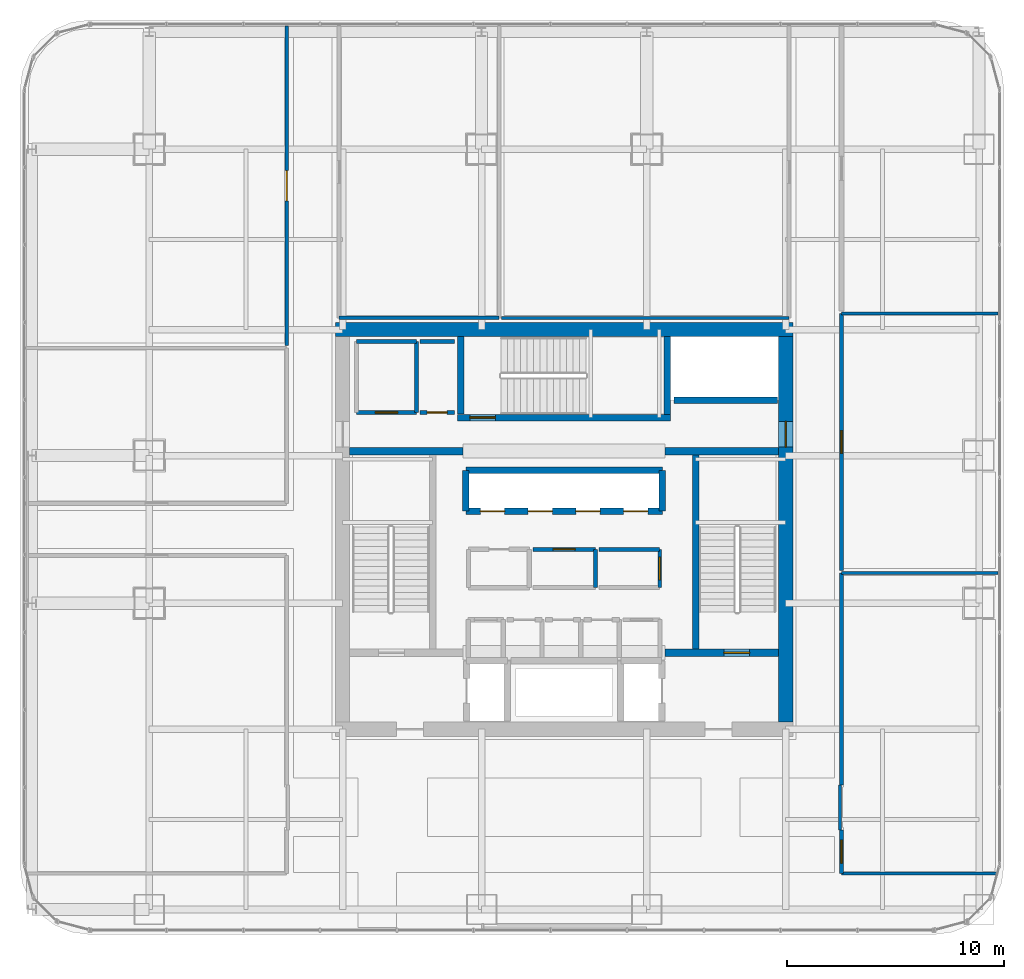
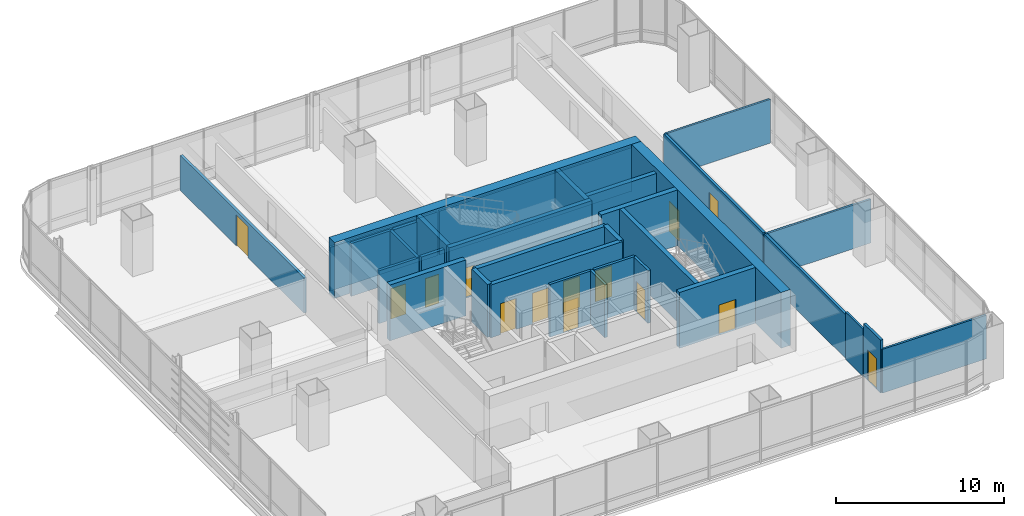
# One storey, part 31 of 38: 33 walls, 14 doors, 14 openings.
"""IFC4 building model written with IfcOpenShell, lengths in metres."""

from ifc_helpers import new_model, si_unit, direction, frame, frame_2d, origin, place, context, subcontext, project, spatial, rectangle, extrude, material, layer, layer_set, type_object, element, fill, save


model = new_model("IFC4")

# Units and contexts
model_context = context("Model", 3, precision=1e-05, world=origin(), true_north=direction((0.0, 1.0)))
body_context = subcontext(model_context, "Body", "Model", "MODEL_VIEW")
ifc_project = project(units=[si_unit("LENGTHUNIT", "METRE"), si_unit("AREAUNIT", "SQUARE_METRE"), si_unit("VOLUMEUNIT", "CUBIC_METRE"), si_unit("PLANEANGLEUNIT", "RADIAN"), si_unit("MASSUNIT", "GRAM", prefix="KILO")], contexts=[model_context])

# Site, building, storey
site_placement = place(None, origin())
site = spatial("IfcSite", under=ifc_project, at=site_placement, CompositionType="ELEMENT")
building_placement = place(site_placement, origin())
building = spatial("IfcBuilding", under=site, at=building_placement, Name="Punatoya Terracotta Tower", CompositionType="ELEMENT")
storey_placement = place(building_placement, frame((0.0, 0.0, 147.89990234375)))
storey = spatial("IfcBuildingStorey", under=building, at=storey_placement, Name="L34", CompositionType="ELEMENT", Elevation=147.89990234375)

# Wall
ifc_material_1 = material(Name="Concrete C60/75", Category="concrete")
ifc_layer_1 = layer(ifc_material_1, 0.64990234375)
ifc_layer_set_1 = layer_set([ifc_layer_1], Name="Concrete C60/75")
wall_type_1 = type_object("IfcWallType", Name="WL-COR-650", PredefinedType="SHEAR", material=ifc_layer_set_1)
wall_1_placement = place(storey_placement, frame((-10.52490234375, 9.199951171875, 0.0), z_axis=(0.0, 0.0, 1.0), x_axis=(1.0, 0.0, 0.0)))
element("IfcWall", 1, at=wall_1_placement, inside=storey, type_object=wall_type_1, Name="L34 Core Shear Wall N", PredefinedType="SHEAR", context=body_context, shape_type="SweptSolid", body=[
    extrude(rectangle(XDim=21.0498046875, YDim=0.64990234375, at=frame_2d((10.52490234375, 0.0))), origin(), (0.0, 0.0, 1.0), 4.050048828125),
])

# Wall, opening, door
wall_2_placement = place(storey_placement, frame((10.199951171875, 8.875, 0.0), z_axis=(0.0, 0.0, 1.0), x_axis=(0.0, -1.0, 0.0)))
wall_2 = element("IfcWall", 2, at=wall_2_placement, inside=storey, type_object=wall_type_1, Name="L34 Core Shear Wall E", PredefinedType="SHEAR", context=body_context, shape_type="SweptSolid", body=[
    extrude(rectangle(XDim=17.75, YDim=0.64990234375, at=frame_2d((8.875, 0.0))), origin(), (0.0, 0.0, 1.0), 4.050048828125),
])
opening_1_placement = place(wall_2_placement, frame((3.905029296875, 0.0, 0.0)))
opening_1 = element("IfcOpeningElement", 3, at=opening_1_placement, cuts=wall_2, Name="Opening SD-01", PredefinedType="OPENING", context=body_context, shape_type="SweptSolid", body=[
    extrude(rectangle(XDim=1.179931640625, YDim=2.199951171875, at=frame_2d((0.58984375, 1.10009765625))), frame((0.0, 0.3349609375, 0.0), z_axis=(0.0, -1.0, 0.0), x_axis=(1.0, 0.0, 0.0)), (0.0, 0.0, 1.0), 0.669921875),
])
ifc_material_2 = material(Name="Galvanised Steel Pressurized Stair Fire Door", Category="steel")
door_type_1 = type_object("IfcDoorType", Name="DR-STR-1180", OperationType="NOTDEFINED", PredefinedType="DOOR", material=ifc_material_2)
door_1_placement = place(opening_1_placement, origin())
door_1 = element("IfcDoor", 4, at=door_1_placement, inside=storey, type_object=door_type_1, Name="L34 Central Lift Lobby East Fire Door", OperationType="SINGLE_SWING_RIGHT", OverallHeight=2.199951171875, OverallWidth=1.179931640625, PredefinedType="DOOR", context=body_context, shape_type="SweptSolid", body=[
    extrude(rectangle(XDim=1.179931640625, YDim=2.199951171875, at=frame_2d((0.58984375, 1.10009765625))), frame((0.0, 0.02490234375, 0.0), z_axis=(0.0, -1.0, 0.0), x_axis=(1.0, 0.0, 0.0)), (0.0, 0.0, 1.0), 0.050048828125),
])
fill(opening_1, door_1)

# Wall
ifc_material_3 = material(Name="Gypsum Fireboard + Steel Stud", Category="steel")
ifc_layer_2 = layer(ifc_material_3, 0.179931640625)
ifc_layer_set_2 = layer_set([ifc_layer_2], Name="Gypsum Fireboard + Steel Stud")
wall_type_2 = type_object("IfcWallType", Name="WL-CORR-180", PredefinedType="PARTITIONING", material=ifc_layer_set_2)
wall_3_placement = place(storey_placement, frame((1.43994140625, -2.679931640625, 0.0), z_axis=(0.0, 0.0, 1.0), x_axis=(0.0, 1.0, 0.0)))
element("IfcWall", 5, at=wall_3_placement, inside=storey, type_object=wall_type_2, Name="L34 Center Core Briefing Pod Partition 16", PredefinedType="PARTITIONING", context=body_context, shape_type="SweptSolid", body=[
    extrude(rectangle(XDim=1.760009765625, YDim=0.179931640625, at=frame_2d((0.8798828125, 0.0))), origin(), (0.0, 0.0, 1.0), 3.830078125),
])

# Wall, opening, door
wall_4_placement = place(storey_placement, frame((1.43994140625, -0.919921875, 0.0), z_axis=(0.0, 0.0, 1.0), x_axis=(-1.0, 0.0, 0.0)))
wall_4 = element("IfcWall", 6, at=wall_4_placement, inside=storey, type_object=wall_type_2, Name="L34 Center Core Briefing Pod Partition 17", PredefinedType="PARTITIONING", context=body_context, shape_type="SweptSolid", body=[
    extrude(rectangle(XDim=2.8798828125, YDim=0.179931640625, at=frame_2d((1.43994140625, 0.0))), origin(), (0.0, 0.0, 1.0), 3.830078125),
])
opening_2_placement = place(wall_4_placement, frame((0.929931640625, 0.0, 0.0)))
opening_2 = element("IfcOpeningElement", 7, at=opening_2_placement, cuts=wall_4, Name="Opening MD-01", PredefinedType="OPENING", context=body_context, shape_type="SweptSolid", body=[
    extrude(rectangle(XDim=1.02001953125, YDim=2.199951171875, at=frame_2d((0.510009765625, 1.10009765625))), frame((0.0, 0.099853515625, 0.0), z_axis=(0.0, -1.0, 0.0), x_axis=(1.0, 0.0, 0.0)), (0.0, 0.0, 1.0), 0.199951171875),
])
ifc_material_4 = material(Name="Aluminium + Acoustic Glass Leaf", Category="aluminium")
door_type_2 = type_object("IfcDoorType", Name="DR-MTG-1020", OperationType="NOTDEFINED", PredefinedType="DOOR", material=ifc_material_4)
door_2_placement = place(opening_2_placement, origin())
door_2 = element("IfcDoor", 8, at=door_2_placement, inside=storey, type_object=door_type_2, Name="L34 Center Briefing Pod Door", OperationType="SINGLE_SWING_LEFT", OverallHeight=2.199951171875, OverallWidth=1.02001953125, PredefinedType="DOOR", context=body_context, shape_type="SweptSolid", body=[
    extrude(rectangle(XDim=1.02001953125, YDim=2.199951171875, at=frame_2d((0.510009765625, 1.10009765625))), frame((0.0, 0.02490234375, 0.0), z_axis=(0.0, -1.0, 0.0), x_axis=(1.0, 0.0, 0.0)), (0.0, 0.0, 1.0), 0.050048828125),
])
fill(opening_2, door_2)

wall_5_placement = place(storey_placement, frame((4.39990234375, -2.679931640625, 0.0), z_axis=(0.0, 0.0, 1.0), x_axis=(0.0, 1.0, 0.0)))
wall_5 = element("IfcWall", 9, at=wall_5_placement, inside=storey, type_object=wall_type_2, Name="L34 Right Core Copy Room Partition 19", PredefinedType="PARTITIONING", context=body_context, shape_type="SweptSolid", body=[
    extrude(rectangle(XDim=1.760009765625, YDim=0.179931640625, at=frame_2d((0.8798828125, 0.0))), origin(), (0.0, 0.0, 1.0), 3.830078125),
])
opening_3_placement = place(wall_5_placement, frame((0.35498046875, 0.0, 0.0)))
opening_3 = element("IfcOpeningElement", 10, at=opening_3_placement, cuts=wall_5, Name="Opening OD-01", PredefinedType="OPENING", context=body_context, shape_type="SweptSolid", body=[
    extrude(rectangle(XDim=1.050048828125, YDim=2.199951171875, at=frame_2d((0.52490234375, 1.10009765625))), frame((0.0, 0.099853515625, 0.0), z_axis=(0.0, -1.0, 0.0), x_axis=(1.0, 0.0, 0.0)), (0.0, 0.0, 1.0), 0.199951171875),
])
ifc_material_5 = material(Name="Bengal Teak Solid-Core Leaf")
door_type_3 = type_object("IfcDoorType", Name="DR-OFF-1050", OperationType="NOTDEFINED", PredefinedType="DOOR", material=ifc_material_5)
door_3_placement = place(opening_3_placement, origin())
door_3 = element("IfcDoor", 11, at=door_3_placement, inside=storey, type_object=door_type_3, Name="L34 Right Copy Room Door", OperationType="SINGLE_SWING_RIGHT", OverallHeight=2.199951171875, OverallWidth=1.050048828125, PredefinedType="DOOR", context=body_context, shape_type="SweptSolid", body=[
    extrude(rectangle(XDim=1.050048828125, YDim=2.199951171875, at=frame_2d((0.52490234375, 1.10009765625))), frame((0.0, 0.02490234375, 0.0), z_axis=(0.0, -1.0, 0.0), x_axis=(1.0, 0.0, 0.0)), (0.0, 0.0, 1.0), 0.050048828125),
])
fill(opening_3, door_3)

# Walls
wall_6_placement = place(storey_placement, frame((4.39990234375, -0.919921875, 0.0), z_axis=(0.0, 0.0, 1.0), x_axis=(-1.0, 0.0, 0.0)))
element("IfcWall", 12, at=wall_6_placement, inside=storey, type_object=wall_type_2, Name="L34 Right Core Copy Room Partition 20", PredefinedType="PARTITIONING", context=body_context, shape_type="SweptSolid", body=[
    extrude(rectangle(XDim=2.7998046875, YDim=0.179931640625, at=frame_2d((1.39990234375, 0.0))), origin(), (0.0, 0.0, 1.0), 3.830078125),
])
wall_7_placement = place(storey_placement, frame((-6.800048828125, 5.3798828125, 0.0), z_axis=(0.0, 0.0, 1.0), x_axis=(0.0, 1.0, 0.0)))
element("IfcWall", 13, at=wall_7_placement, inside=storey, type_object=wall_type_2, Name="L34 West Core Briefing Pod Partition 22", PredefinedType="PARTITIONING", context=body_context, shape_type="SweptSolid", body=[
    extrude(rectangle(XDim=3.27001953125, YDim=0.179931640625, at=frame_2d((1.635009765625, 0.0))), origin(), (0.0, 0.0, 1.0), 3.830078125),
])
wall_8_placement = place(storey_placement, frame((-6.800048828125, 8.64990234375, 0.0), z_axis=(0.0, 0.0, 1.0), x_axis=(-1.0, 0.0, 0.0)))
element("IfcWall", 14, at=wall_8_placement, inside=storey, type_object=wall_type_2, Name="L34 West Core Briefing Pod Partition 23", PredefinedType="PARTITIONING", context=body_context, shape_type="SweptSolid", body=[
    extrude(rectangle(XDim=2.75, YDim=0.179931640625, at=frame_2d((1.375, 0.0))), origin(), (0.0, 0.0, 1.0), 3.830078125),
])

# Wall, opening, door
wall_9_placement = place(storey_placement, frame((-9.550048828125, 5.3798828125, 0.0), z_axis=(0.0, 0.0, 1.0), x_axis=(1.0, 0.0, 0.0)))
wall_9 = element("IfcWall", 15, at=wall_9_placement, inside=storey, type_object=wall_type_2, Name="L34 West Core Briefing Pod Partition 25", PredefinedType="PARTITIONING", context=body_context, shape_type="SweptSolid", body=[
    extrude(rectangle(XDim=2.75, YDim=0.179931640625, at=frame_2d((1.375, 0.0))), origin(), (0.0, 0.0, 1.0), 3.830078125),
])
opening_4_placement = place(wall_9_placement, frame((0.864990234375, 0.0, 0.0)))
opening_4 = element("IfcOpeningElement", 16, at=opening_4_placement, cuts=wall_9, Name="Opening MD-01", PredefinedType="OPENING", context=body_context, shape_type="SweptSolid", body=[
    extrude(rectangle(XDim=1.02001953125, YDim=2.199951171875, at=frame_2d((0.510009765625, 1.10009765625))), frame((0.0, 0.099853515625, 0.0), z_axis=(0.0, -1.0, 0.0), x_axis=(1.0, 0.0, 0.0)), (0.0, 0.0, 1.0), 0.199951171875),
])
door_4_placement = place(opening_4_placement, origin())
door_4 = element("IfcDoor", 17, at=door_4_placement, inside=storey, type_object=door_type_2, Name="L34 West Briefing Pod Door", OperationType="SINGLE_SWING_LEFT", OverallHeight=2.199951171875, OverallWidth=1.02001953125, PredefinedType="DOOR", context=body_context, shape_type="SweptSolid", body=[
    extrude(rectangle(XDim=1.02001953125, YDim=2.199951171875, at=frame_2d((0.510009765625, 1.10009765625))), frame((0.0, 0.02490234375, 0.0), z_axis=(0.0, -1.0, 0.0), x_axis=(1.0, 0.0, 0.0)), (0.0, 0.0, 1.0), 0.050048828125),
])
fill(opening_4, door_4)

wall_10_placement = place(storey_placement, frame((12.77001953125, -15.840087890625, 0.0), z_axis=(0.0, 0.0, 1.0), x_axis=(0.0, 1.0, 0.0)))
wall_10 = element("IfcWall", 18, at=wall_10_placement, inside=storey, type_object=wall_type_2, Name="L34 Open-Plan Computational Simulation Laboratory Partition 29", PredefinedType="PARTITIONING", context=body_context, shape_type="SweptSolid", body=[
    extrude(rectangle(XDim=2.010009765625, YDim=0.179931640625, at=frame_2d((1.0048828125, 0.0))), origin(), (0.0, 0.0, 1.0), 3.830078125),
])
opening_5_placement = place(wall_10_placement, frame((0.47998046875, 0.0, 0.0)))
opening_5 = element("IfcOpeningElement", 19, at=opening_5_placement, cuts=wall_10, Name="Opening OD-01", PredefinedType="OPENING", context=body_context, shape_type="SweptSolid", body=[
    extrude(rectangle(XDim=1.050048828125, YDim=2.199951171875, at=frame_2d((0.52490234375, 1.10009765625))), frame((0.0, 0.099853515625, 0.0), z_axis=(0.0, -1.0, 0.0), x_axis=(1.0, 0.0, 0.0)), (0.0, 0.0, 1.0), 0.199951171875),
])
door_5_placement = place(opening_5_placement, origin())
door_5 = element("IfcDoor", 20, at=door_5_placement, inside=storey, type_object=door_type_3, Name="L34 Open-Plan Computational Simulation Laboratory Door", OperationType="SINGLE_SWING_LEFT", OverallHeight=2.199951171875, OverallWidth=1.050048828125, PredefinedType="DOOR", context=body_context, shape_type="SweptSolid", body=[
    extrude(rectangle(XDim=1.050048828125, YDim=2.199951171875, at=frame_2d((0.52490234375, 1.10009765625))), frame((0.0, 0.02490234375, 0.0), z_axis=(0.0, -1.0, 0.0), x_axis=(1.0, 0.0, 0.0)), (0.0, 0.0, 1.0), 0.050048828125),
])
fill(opening_5, door_5)

# Wall
wall_11_placement = place(storey_placement, frame((12.77001953125, -11.77001953125, 0.0), z_axis=(0.0, 0.0, 1.0), x_axis=(0.0, 1.0, 0.0)))
element("IfcWall", 21, at=wall_11_placement, inside=storey, type_object=wall_type_2, Name="L34 Open-Plan Computational Simulation Laboratory Partition 31", PredefinedType="PARTITIONING", context=body_context, shape_type="SweptSolid", body=[
    extrude(rectangle(XDim=9.757080078125, YDim=0.179931640625, at=frame_2d((4.87841796875, 0.0))), origin(), (0.0, 0.0, 1.0), 3.174072265625),
])

# Wall, opening, door
wall_12_placement = place(storey_placement, frame((12.77001953125, -1.89306640625, 0.0), z_axis=(0.0, 0.0, 1.0), x_axis=(0.0, 1.0, 0.0)))
wall_12 = element("IfcWall", 22, at=wall_12_placement, inside=storey, type_object=wall_type_2, Name="L34 Open-Plan Materials Testing Laboratory Partition 38", PredefinedType="PARTITIONING", context=body_context, shape_type="SweptSolid", body=[
    extrude(rectangle(XDim=11.8349609375, YDim=0.179931640625, at=frame_2d((5.91748046875, 0.0))), origin(), (0.0, 0.0, 1.0), 3.174072265625),
])
opening_6_placement = place(wall_12_placement, frame((5.392578125, 0.0, 0.0)))
opening_6 = element("IfcOpeningElement", 23, at=opening_6_placement, cuts=wall_12, Name="Opening OD-01", PredefinedType="OPENING", context=body_context, shape_type="SweptSolid", body=[
    extrude(rectangle(XDim=1.050048828125, YDim=2.199951171875, at=frame_2d((0.52490234375, 1.10009765625))), frame((0.0, 0.099853515625, 0.0), z_axis=(0.0, -1.0, 0.0), x_axis=(1.0, 0.0, 0.0)), (0.0, 0.0, 1.0), 0.199951171875),
])
door_6_placement = place(opening_6_placement, origin())
door_6 = element("IfcDoor", 24, at=door_6_placement, inside=storey, type_object=door_type_3, Name="L34 Open-Plan Materials Testing Laboratory Door", OperationType="SINGLE_SWING_LEFT", OverallHeight=2.199951171875, OverallWidth=1.050048828125, PredefinedType="DOOR", context=body_context, shape_type="SweptSolid", body=[
    extrude(rectangle(XDim=1.050048828125, YDim=2.199951171875, at=frame_2d((0.52490234375, 1.10009765625))), frame((0.0, 0.02490234375, 0.0), z_axis=(0.0, -1.0, 0.0), x_axis=(1.0, 0.0, 0.0)), (0.0, 0.0, 1.0), 0.050048828125),
])
fill(opening_6, door_6)

wall_13_placement = place(storey_placement, frame((-12.77001953125, 23.169921875, 0.0), z_axis=(0.0, 0.0, 1.0), x_axis=(0.0, -1.0, 0.0)))
wall_13 = element("IfcWall", 25, at=wall_13_placement, inside=storey, type_object=wall_type_2, Name="L34 Technical Seminar Room Partition 43", PredefinedType="PARTITIONING", context=body_context, shape_type="SweptSolid", body=[
    extrude(rectangle(XDim=14.700927734375, YDim=0.179931640625, at=frame_2d((7.3505859375, 0.0))), origin(), (0.0, 0.0, 1.0), 2.544189453125),
])
opening_7_placement = place(wall_13_placement, frame((6.650390625, 0.0, 0.0)))
opening_7 = element("IfcOpeningElement", 26, at=opening_7_placement, cuts=wall_13, Name="Opening BD-01", PredefinedType="OPENING", context=body_context, shape_type="SweptSolid", body=[
    extrude(rectangle(XDim=1.39990234375, YDim=2.25, at=frame_2d((0.699951171875, 1.125))), frame((0.0, 0.099853515625, 0.0), z_axis=(0.0, -1.0, 0.0), x_axis=(1.0, 0.0, 0.0)), (0.0, 0.0, 1.0), 0.199951171875),
])
ifc_material_6 = material(Name="Bengal Teak Acoustic Leaf")
door_type_4 = type_object("IfcDoorType", Name="DR-BRD-1400", OperationType="NOTDEFINED", PredefinedType="DOOR", material=ifc_material_6)
door_7_placement = place(opening_7_placement, origin())
door_7 = element("IfcDoor", 27, at=door_7_placement, inside=storey, type_object=door_type_4, Name="L34 Technical Seminar Room Door", OperationType="SINGLE_SWING_LEFT", OverallHeight=2.25, OverallWidth=1.39990234375, PredefinedType="DOOR", context=body_context, shape_type="SweptSolid", body=[
    extrude(rectangle(XDim=1.39990234375, YDim=2.25, at=frame_2d((0.699951171875, 1.125))), frame((0.0, 0.02490234375, 0.0), z_axis=(0.0, -1.0, 0.0), x_axis=(1.0, 0.0, 0.0)), (0.0, 0.0, 1.0), 0.050048828125),
])
fill(opening_7, door_7)

# Wall
ifc_material_7 = material(Name="Concrete C40/50", Category="concrete")
ifc_layer_3 = layer(ifc_material_7, 0.199951171875)
ifc_layer_set_3 = layer_set([ifc_layer_3], Name="Concrete C40/50")
wall_type_3 = type_object("IfcWallType", Name="WL-INT-200", PredefinedType="SOLIDWALL", material=ifc_layer_set_3)
wall_14_placement = place(storey_placement, frame((-5.050048828125, 8.64990234375, 0.0), z_axis=(0.0, 0.0, 1.0), x_axis=(-1.0, 0.0, 0.0)))
element("IfcWall", 28, at=wall_14_placement, inside=storey, type_object=wall_type_3, Name="L34 West Core Supply Store Partition 26", PredefinedType="SOLIDWALL", context=body_context, shape_type="SweptSolid", body=[
    extrude(rectangle(XDim=1.58984375, YDim=0.199951171875, at=frame_2d((0.794921875, 0.0))), origin(), (0.0, 0.0, 1.0), 3.830078125),
])

# Wall, opening, door
wall_15_placement = place(storey_placement, frame((-6.639892578125, 5.3798828125, 0.0), z_axis=(0.0, 0.0, 1.0), x_axis=(1.0, 0.0, 0.0)))
wall_15 = element("IfcWall", 29, at=wall_15_placement, inside=storey, type_object=wall_type_3, Name="L34 West Core Supply Store Partition 27", PredefinedType="SOLIDWALL", context=body_context, shape_type="SweptSolid", body=[
    extrude(rectangle(XDim=1.58984375, YDim=0.199951171875, at=frame_2d((0.794921875, 0.0))), origin(), (0.0, 0.0, 1.0), 3.830078125),
])
opening_8_placement = place(wall_15_placement, frame((0.3349609375, 0.0, 0.0)))
opening_8 = element("IfcOpeningElement", 30, at=opening_8_placement, cuts=wall_15, Name="Opening FD-R1", PredefinedType="OPENING", context=body_context, shape_type="SweptSolid", body=[
    extrude(rectangle(XDim=0.919921875, YDim=2.10009765625, at=frame_2d((0.4599609375, 1.050048828125))), frame((0.0, 0.10986328125, 0.0), z_axis=(0.0, -1.0, 0.0), x_axis=(1.0, 0.0, 0.0)), (0.0, 0.0, 1.0), 0.219970703125),
])
ifc_material_8 = material(Name="Galvanised Steel Riser Fire Access Door", Category="steel")
door_type_5 = type_object("IfcDoorType", Name="DR-RSR-920", OperationType="NOTDEFINED", PredefinedType="DOOR", material=ifc_material_8)
door_8_placement = place(opening_8_placement, origin())
door_8 = element("IfcDoor", 31, at=door_8_placement, inside=storey, type_object=door_type_5, Name="L34 West Core Supply Store Fire Door", OperationType="SINGLE_SWING_RIGHT", OverallHeight=2.10009765625, OverallWidth=0.919921875, PredefinedType="DOOR", context=body_context, shape_type="SweptSolid", body=[
    extrude(rectangle(XDim=0.919921875, YDim=2.10009765625, at=frame_2d((0.4599609375, 1.050048828125))), frame((0.0, 0.02490234375, 0.0), z_axis=(0.0, -1.0, 0.0), x_axis=(1.0, 0.0, 0.0)), (0.0, 0.0, 1.0), 0.050048828125),
])
fill(opening_8, door_8)

# Walls
ifc_material_9 = material(Name="Acoustic Gypsum + Steel Stud", Category="steel")
ifc_layer_4 = layer(ifc_material_9, 0.139892578125)
ifc_layer_set_4 = layer_set([ifc_layer_4], Name="Acoustic Gypsum + Steel Stud")
wall_type_4 = type_object("IfcWallType", Name="WL-OFF-140", PredefinedType="PARTITIONING", material=ifc_layer_set_4)
wall_16_placement = place(storey_placement, frame((19.916259765625, -15.840087890625, 0.0), z_axis=(0.0, 0.0, 1.0), x_axis=(-1.0, 0.0, 0.0)))
element("IfcWall", 32, at=wall_16_placement, inside=storey, type_object=wall_type_4, Name="L34 Open-Plan Computational Simulation Laboratory Partition 28", PredefinedType="PARTITIONING", context=body_context, shape_type="SweptSolid", body=[
    extrude(rectangle(XDim=7.146240234375, YDim=0.139892578125, at=frame_2d((3.5732421875, 0.0))), origin(), (0.0, 0.0, 1.0), 3.174072265625),
])
wall_17_placement = place(storey_placement, frame((12.7099609375, -13.830078125, 0.0), z_axis=(0.0, 0.0, 1.0), x_axis=(0.0, 1.0, 0.0)))
element("IfcWall", 33, at=wall_17_placement, inside=storey, type_object=wall_type_4, Name="L34 Open-Plan Computational Simulation Laboratory Partition 30", PredefinedType="PARTITIONING", context=body_context, shape_type="SweptSolid", body=[
    extrude(rectangle(XDim=2.06005859375, YDim=0.139892578125, at=frame_2d((1.030029296875, 0.0))), origin(), (0.0, 0.0, 1.0), 3.424072265625),
])
for number, where, z_axis, x_axis, name in (
    (34, (12.77001953125, -2.012939453125, 0.0), (0.0, 0.0, 1.0), (1.0, 0.0, 0.0), "L34 Open-Plan Computational Simulation Laboratory Partition 32"),
    (35, (12.77001953125, 9.94189453125, 0.0), (0.0, 0.0, 1.0), (1.0, 0.0, 0.0), "L34 Open-Plan Materials Testing Laboratory Partition 39"),
):
    element("IfcWall", number, at=place(storey_placement, frame(where, z_axis=z_axis, x_axis=x_axis)), inside=storey, type_object=wall_type_4, Name=name, PredefinedType="PARTITIONING", context=body_context, shape_type="SweptSolid", body=[
        extrude(rectangle(XDim=7.199951171875, YDim=0.139892578125, at=frame_2d((3.60009765625, 0.0))), origin(), (0.0, 0.0, 1.0), 3.174072265625),
    ])
wall_18_placement = place(storey_placement, frame((10.360107421875, 9.739990234375, 0.0), z_axis=(0.0, 0.0, 1.0), x_axis=(-1.0, 0.0, 0.0)))
element("IfcWall", 36, at=wall_18_placement, inside=storey, type_object=wall_type_4, Name="L34 Wellness Rest Room Partition 47", PredefinedType="PARTITIONING", context=body_context, shape_type="SweptSolid", body=[
    extrude(rectangle(XDim=13.234130859375, YDim=0.139892578125, at=frame_2d((6.6171875, 0.0))), origin(), (0.0, 0.0, 1.0), 3.174072265625),
])
ifc_layer_5 = layer(ifc_material_7, 0.300048828125)
ifc_layer_set_5 = layer_set([ifc_layer_5], Name="Concrete C40/50")
wall_type_5 = type_object("IfcWallType", Name="WL-SHF-300", PredefinedType="SOLIDWALL", material=ifc_layer_set_5)
wall_19_placement = place(storey_placement, frame((6.050048828125, 3.449951171875, 0.0), z_axis=(0.0, 0.0, 1.0), x_axis=(0.0, -1.0, 0.0)))
element("IfcWall", 37, at=wall_19_placement, inside=storey, type_object=wall_type_5, Name="L34 Structural Stair Shaft Wall SW-ST2-W", PredefinedType="SOLIDWALL", context=body_context, shape_type="SweptSolid", body=[
    extrude(rectangle(XDim=8.949951171875, YDim=0.300048828125, at=frame_2d((4.47509765625, 0.0))), origin(), (0.0, 0.0, 1.0), 4.050048828125),
])
for number, where, z_axis, x_axis, name in (
    (38, (-4.75, 5.300048828125, 0.0), (0.0, 0.0, 1.0), (0.0, 1.0, 0.0), "L34 Structural Stair Shaft Wall SW-ST3-W"),
    (39, (4.75, 8.875, 0.0), (0.0, 0.0, 1.0), (0.0, -1.0, 0.0), "L34 Structural Stair Shaft Wall SW-ST3-E"),
):
    element("IfcWall", number, at=place(storey_placement, frame(where, z_axis=z_axis, x_axis=x_axis)), inside=storey, type_object=wall_type_5, Name=name, PredefinedType="SOLIDWALL", context=body_context, shape_type="SweptSolid", body=[
        extrude(rectangle(XDim=3.574951171875, YDim=0.300048828125, at=frame_2d((1.78759765625, 0.0))), origin(), (0.0, 0.0, 1.0), 4.050048828125),
    ])

# Wall, opening, door
wall_20_placement = place(storey_placement, frame((-4.89990234375, 5.14990234375, 0.0), z_axis=(0.0, 0.0, 1.0), x_axis=(1.0, 0.0, 0.0)))
wall_20 = element("IfcWall", 40, at=wall_20_placement, inside=storey, type_object=wall_type_5, Name="L34 Structural Stair Shaft Wall SW-ST3-S", PredefinedType="SOLIDWALL", context=body_context, shape_type="SweptSolid", body=[
    extrude(rectangle(XDim=9.7998046875, YDim=0.300048828125, at=frame_2d((4.89990234375, 0.0))), origin(), (0.0, 0.0, 1.0), 4.050048828125),
])
opening_9_placement = place(wall_20_placement, frame((0.56005859375, 0.0, 0.0)))
opening_9 = element("IfcOpeningElement", 41, at=opening_9_placement, cuts=wall_20, Name="Opening SD-01", PredefinedType="OPENING", context=body_context, shape_type="SweptSolid", body=[
    extrude(rectangle(XDim=1.179931640625, YDim=2.199951171875, at=frame_2d((0.58984375, 1.10009765625))), frame((0.0, 0.159912109375, 0.0), z_axis=(0.0, -1.0, 0.0), x_axis=(1.0, 0.0, 0.0)), (0.0, 0.0, 1.0), 0.320068359375),
])
door_9_placement = place(opening_9_placement, origin())
door_9 = element("IfcDoor", 42, at=door_9_placement, inside=storey, type_object=door_type_1, Name="L34 Stair ST-3 Core Lobby Fire Door", OperationType="SINGLE_SWING_LEFT", OverallHeight=2.199951171875, OverallWidth=1.179931640625, PredefinedType="DOOR", context=body_context, shape_type="SweptSolid", body=[
    extrude(rectangle(XDim=1.179931640625, YDim=2.199951171875, at=frame_2d((0.58984375, 1.10009765625))), frame((0.0, 0.02490234375, 0.0), z_axis=(0.0, -1.0, 0.0), x_axis=(1.0, 0.0, 0.0)), (0.0, 0.0, 1.0), 0.050048828125),
])
fill(opening_9, door_9)

# Wall, openings, doors
wall_21_placement = place(storey_placement, frame((-4.52001953125, 0.840087890625, 0.0), z_axis=(0.0, 0.0, 1.0), x_axis=(1.0, 0.0, 0.0)))
wall_21 = element("IfcWall", 43, at=wall_21_placement, inside=storey, type_object=wall_type_5, Name="L34 North Lift Bank Front Shaft Wall", PredefinedType="SOLIDWALL", context=body_context, shape_type="SweptSolid", body=[
    extrude(rectangle(XDim=9.0400390625, YDim=0.300048828125, at=frame_2d((4.52001953125, 0.0))), origin(), (0.0, 0.0, 1.0), 3.830078125),
])
opening_10_placement = place(wall_21_placement, frame((0.659912109375, 0.0, 0.0)))
opening_10 = element("IfcOpeningElement", 44, at=opening_10_placement, cuts=wall_21, Name="Opening LD-02", PredefinedType="OPENING", context=body_context, shape_type="SweptSolid", body=[
    extrude(rectangle(XDim=1.1201171875, YDim=2.25, at=frame_2d((0.56005859375, 1.125))), frame((0.0, 0.159912109375, 0.0), z_axis=(0.0, -1.0, 0.0), x_axis=(1.0, 0.0, 0.0)), (0.0, 0.0, 1.0), 0.320068359375),
])
opening_11_placement = place(wall_21_placement, frame((2.860107421875, 0.0, 0.0)))
opening_11 = element("IfcOpeningElement", 45, at=opening_11_placement, cuts=wall_21, Name="Opening LD-02", PredefinedType="OPENING", context=body_context, shape_type="SweptSolid", body=[
    extrude(rectangle(XDim=1.1201171875, YDim=2.25, at=frame_2d((0.56005859375, 1.125))), frame((0.0, 0.159912109375, 0.0), z_axis=(0.0, -1.0, 0.0), x_axis=(1.0, 0.0, 0.0)), (0.0, 0.0, 1.0), 0.320068359375),
])
opening_12_placement = place(wall_21_placement, frame((5.06005859375, 0.0, 0.0)))
opening_12 = element("IfcOpeningElement", 46, at=opening_12_placement, cuts=wall_21, Name="Opening LD-02", PredefinedType="OPENING", context=body_context, shape_type="SweptSolid", body=[
    extrude(rectangle(XDim=1.1201171875, YDim=2.25, at=frame_2d((0.56005859375, 1.125))), frame((0.0, 0.159912109375, 0.0), z_axis=(0.0, -1.0, 0.0), x_axis=(1.0, 0.0, 0.0)), (0.0, 0.0, 1.0), 0.320068359375),
])
opening_13_placement = place(wall_21_placement, frame((7.260009765625, 0.0, 0.0)))
opening_13 = element("IfcOpeningElement", 47, at=opening_13_placement, cuts=wall_21, Name="Opening LD-02", PredefinedType="OPENING", context=body_context, shape_type="SweptSolid", body=[
    extrude(rectangle(XDim=1.1201171875, YDim=2.25, at=frame_2d((0.56005859375, 1.125))), frame((0.0, 0.159912109375, 0.0), z_axis=(0.0, -1.0, 0.0), x_axis=(1.0, 0.0, 0.0)), (0.0, 0.0, 1.0), 0.320068359375),
])
ifc_material_10 = material(Name="Stainless Steel Lift Landing Door", Category="steel")
door_type_6 = type_object("IfcDoorType", Name="DR-LND-1120", OperationType="NOTDEFINED", PredefinedType="DOOR", material=ifc_material_10)
door_10_placement = place(opening_10_placement, origin())
door_10 = element("IfcDoor", 48, at=door_10_placement, inside=storey, type_object=door_type_6, Name="L34 Lift PL-M1 Sliding Landing Door", OperationType="DOUBLE_DOOR_SLIDING", OverallHeight=2.25, OverallWidth=1.1201171875, PredefinedType="DOOR", context=body_context, shape_type="SweptSolid", body=[
    extrude(rectangle(XDim=1.1201171875, YDim=2.25, at=frame_2d((0.56005859375, 1.125))), frame((0.0, 0.02490234375, 0.0), z_axis=(0.0, -1.0, 0.0), x_axis=(1.0, 0.0, 0.0)), (0.0, 0.0, 1.0), 0.050048828125),
])
fill(opening_10, door_10)
door_11_placement = place(opening_11_placement, origin())
door_11 = element("IfcDoor", 49, at=door_11_placement, inside=storey, type_object=door_type_6, Name="L34 Lift PL-M2 Sliding Landing Door", OperationType="DOUBLE_DOOR_SLIDING", OverallHeight=2.25, OverallWidth=1.1201171875, PredefinedType="DOOR", context=body_context, shape_type="SweptSolid", body=[
    extrude(rectangle(XDim=1.1201171875, YDim=2.25, at=frame_2d((0.56005859375, 1.125))), frame((0.0, 0.02490234375, 0.0), z_axis=(0.0, -1.0, 0.0), x_axis=(1.0, 0.0, 0.0)), (0.0, 0.0, 1.0), 0.050048828125),
])
fill(opening_11, door_11)
door_12_placement = place(opening_12_placement, origin())
door_12 = element("IfcDoor", 50, at=door_12_placement, inside=storey, type_object=door_type_6, Name="L34 Lift PL-M3 Sliding Landing Door", OperationType="DOUBLE_DOOR_SLIDING", OverallHeight=2.25, OverallWidth=1.1201171875, PredefinedType="DOOR", context=body_context, shape_type="SweptSolid", body=[
    extrude(rectangle(XDim=1.1201171875, YDim=2.25, at=frame_2d((0.56005859375, 1.125))), frame((0.0, 0.02490234375, 0.0), z_axis=(0.0, -1.0, 0.0), x_axis=(1.0, 0.0, 0.0)), (0.0, 0.0, 1.0), 0.050048828125),
])
fill(opening_12, door_12)
door_13_placement = place(opening_13_placement, origin())
door_13 = element("IfcDoor", 51, at=door_13_placement, inside=storey, type_object=door_type_6, Name="L34 Lift PL-M4 Sliding Landing Door", OperationType="DOUBLE_DOOR_SLIDING", OverallHeight=2.25, OverallWidth=1.1201171875, PredefinedType="DOOR", context=body_context, shape_type="SweptSolid", body=[
    extrude(rectangle(XDim=1.1201171875, YDim=2.25, at=frame_2d((0.56005859375, 1.125))), frame((0.0, 0.02490234375, 0.0), z_axis=(0.0, -1.0, 0.0), x_axis=(1.0, 0.0, 0.0)), (0.0, 0.0, 1.0), 0.050048828125),
])
fill(opening_13, door_13)

# Walls
wall_22_placement = place(storey_placement, frame((-4.52001953125, 2.719970703125, 0.0), z_axis=(0.0, 0.0, 1.0), x_axis=(1.0, 0.0, 0.0)))
element("IfcWall", 52, at=wall_22_placement, inside=storey, type_object=wall_type_5, Name="L34 North Lift Bank Rear Shaft Wall", PredefinedType="SOLIDWALL", context=body_context, shape_type="SweptSolid", body=[
    extrude(rectangle(XDim=9.0400390625, YDim=0.300048828125, at=frame_2d((4.52001953125, 0.0))), origin(), (0.0, 0.0, 1.0), 3.830078125),
])
for number, where, z_axis, x_axis, name in (
    (53, (-4.52001953125, 0.840087890625, 0.0), (0.0, 0.0, 1.0), (0.0, 1.0, 0.0), "L34 North Lift Bank West End Wall"),
    (54, (4.52001953125, 0.840087890625, 0.0), (0.0, 0.0, 1.0), (0.0, 1.0, 0.0), "L34 North Lift Bank East End Wall"),
):
    element("IfcWall", number, at=place(storey_placement, frame(where, z_axis=z_axis, x_axis=x_axis)), inside=storey, type_object=wall_type_5, Name=name, PredefinedType="SOLIDWALL", context=body_context, shape_type="SweptSolid", body=[
        extrude(rectangle(XDim=1.8798828125, YDim=0.300048828125, at=frame_2d((0.93994140625, 0.0))), origin(), (0.0, 0.0, 1.0), 3.830078125),
    ])
wall_23_placement = place(storey_placement, frame((5.06005859375, 5.949951171875, 0.0), z_axis=(0.0, 0.0, 1.0), x_axis=(1.0, 0.0, 0.0)))
element("IfcWall", 55, at=wall_23_placement, inside=storey, type_object=wall_type_5, Name="L34 Shuttle SL-2 South Hoistway Wall", PredefinedType="SOLIDWALL", context=body_context, shape_type="SweptSolid", body=[
    extrude(rectangle(XDim=4.760009765625, YDim=0.300048828125, at=frame_2d((2.3798828125, 0.0))), origin(), (0.0, 0.0, 1.0), 3.830078125),
])

# Wall, opening, door
ifc_material_11 = material(Name="Concrete C50/60", Category="concrete")
ifc_layer_6 = layer(ifc_material_11, 0.35009765625)
ifc_layer_set_6 = layer_set([ifc_layer_6], Name="Concrete C50/60")
wall_type_6 = type_object("IfcWallType", Name="WL-SHF-350", PredefinedType="SOLIDWALL", material=ifc_layer_set_6)
wall_24_placement = place(storey_placement, frame((4.64990234375, -5.679931640625, 0.0), z_axis=(0.0, 0.0, 1.0), x_axis=(1.0, 0.0, 0.0)))
wall_24 = element("IfcWall", 56, at=wall_24_placement, inside=storey, type_object=wall_type_6, Name="L34 Core Web Wall CSW-R", PredefinedType="SOLIDWALL", context=body_context, shape_type="SweptSolid", body=[
    extrude(rectangle(XDim=5.22509765625, YDim=0.35009765625, at=frame_2d((2.612548828125, 0.0))), origin(), (0.0, 0.0, 1.0), 4.050048828125),
])
opening_14_placement = place(wall_24_placement, frame((2.7099609375, 0.0, 0.0)))
opening_14 = element("IfcOpeningElement", 57, at=opening_14_placement, cuts=wall_24, Name="Opening SD-01", PredefinedType="OPENING", context=body_context, shape_type="SweptSolid", body=[
    extrude(rectangle(XDim=1.179931640625, YDim=2.199951171875, at=frame_2d((0.58984375, 1.10009765625))), frame((0.0, 0.18505859375, 0.0), z_axis=(0.0, -1.0, 0.0), x_axis=(1.0, 0.0, 0.0)), (0.0, 0.0, 1.0), 0.3701171875),
])
door_14_placement = place(opening_14_placement, origin())
door_14 = element("IfcDoor", 58, at=door_14_placement, inside=storey, type_object=door_type_1, Name="L34 Stair ST-2 Smokeproof Lobby Fire Door", OperationType="SINGLE_SWING_RIGHT", OverallHeight=2.199951171875, OverallWidth=1.179931640625, PredefinedType="DOOR", context=body_context, shape_type="SweptSolid", body=[
    extrude(rectangle(XDim=1.179931640625, YDim=2.199951171875, at=frame_2d((0.58984375, 1.10009765625))), frame((0.0, 0.02490234375, 0.0), z_axis=(0.0, -1.0, 0.0), x_axis=(1.0, 0.0, 0.0)), (0.0, 0.0, 1.0), 0.050048828125),
])
fill(opening_14, door_14)

# Walls
for number, where, z_axis, x_axis, name in (
    (59, (-9.875, 3.60009765625, 0.0), (0.0, 0.0, 1.0), (1.0, 0.0, 0.0), "L34 Core Web Wall CNW-L"),
    (60, (4.64990234375, 3.60009765625, 0.0), (0.0, 0.0, 1.0), (1.0, 0.0, 0.0), "L34 Core Web Wall CNW-R"),
):
    element("IfcWall", number, at=place(storey_placement, frame(where, z_axis=z_axis, x_axis=x_axis)), inside=storey, type_object=wall_type_6, Name=name, PredefinedType="SOLIDWALL", context=body_context, shape_type="SweptSolid", body=[
        extrude(rectangle(XDim=5.22509765625, YDim=0.35009765625, at=frame_2d((2.612548828125, 0.0))), origin(), (0.0, 0.0, 1.0), 4.050048828125),
    ])
ifc_material_12 = material(Name="Masonry Blockwork + Ceramic Tile", Category="masonry")
ifc_layer_7 = layer(ifc_material_12, 0.159912109375)
ifc_layer_set_7 = layer_set([ifc_layer_7], Name="Masonry Blockwork + Ceramic Tile")
wall_type_7 = type_object("IfcWallType", Name="WL-WET-160", PredefinedType="PARTITIONING", material=ifc_layer_set_7)
wall_25_placement = place(storey_placement, frame((-2.993896484375, 9.739990234375, 0.0), z_axis=(0.0, 0.0, 1.0), x_axis=(-1.0, 0.0, 0.0)))
element("IfcWall", 61, at=wall_25_placement, inside=storey, type_object=wall_type_7, Name="L34 Open-Plan Laboratory Staff Pantry Partition 45", PredefinedType="PARTITIONING", context=body_context, shape_type="SweptSolid", body=[
    extrude(rectangle(XDim=7.3662109375, YDim=0.159912109375, at=frame_2d((3.68310546875, 0.0))), origin(), (0.0, 0.0, 1.0), 3.174072265625),
])

save(model, "model.ifc")
